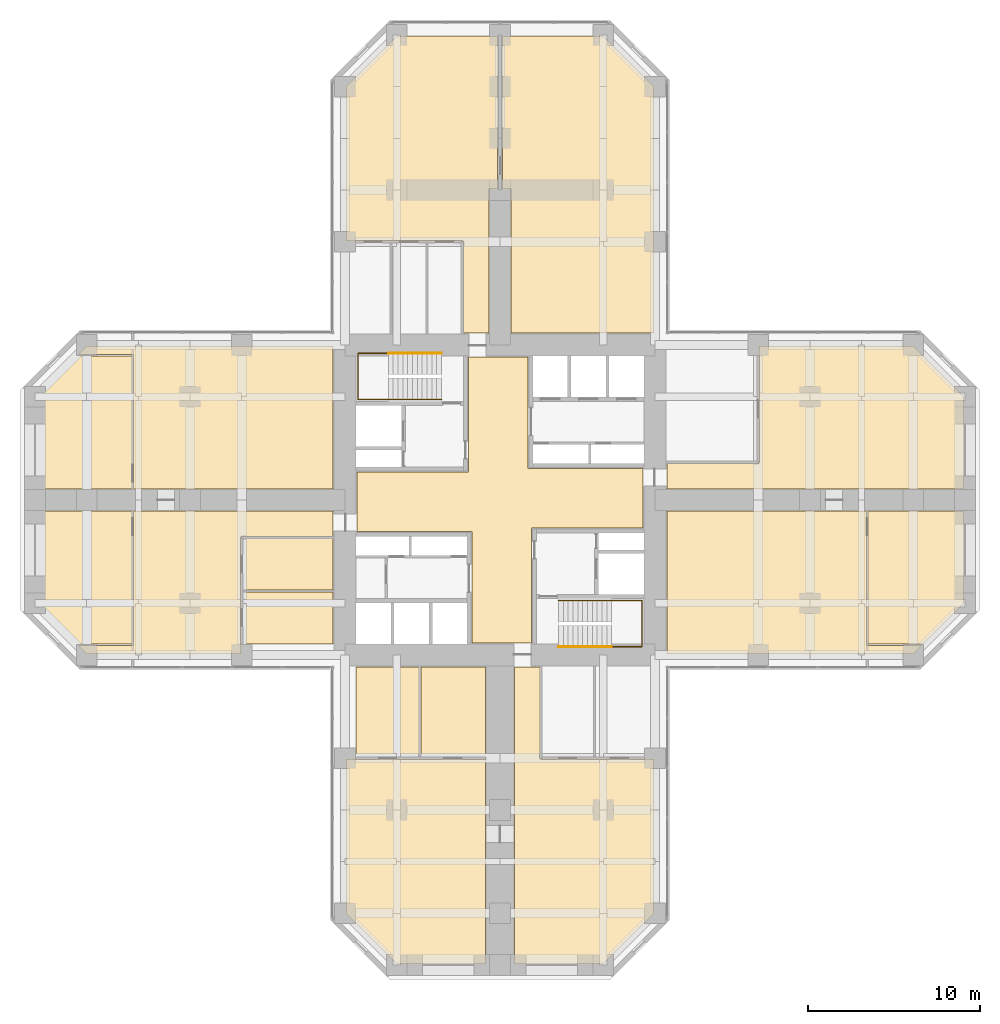
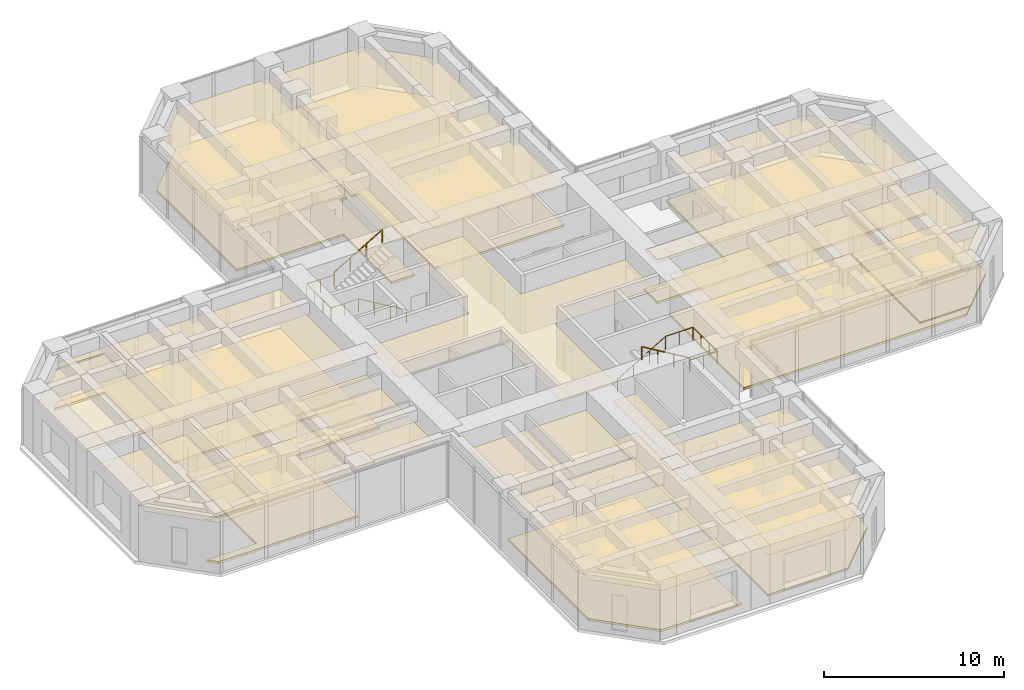
# One storey, part 12 of 12: 25 coverings, 4 railings.
"""IFC4 building model written with IfcOpenShell, lengths in metres."""

from ifc_helpers import new_model, si_unit, direction, frame, origin, origin_2d, place, context, subcontext, project, spatial, polyline, circle, outline, extrude, material, layer, layer_set, constituent, constituent_set, type_object, element, save


model = new_model("IFC4")

# Units and contexts
model_context = context("Model", 3, precision=1e-05, world=origin(), true_north=direction((0.0, 1.0)))
body_context = subcontext(model_context, "Body", "Model", "MODEL_VIEW")
ifc_project = project(units=[si_unit("LENGTHUNIT", "METRE"), si_unit("AREAUNIT", "SQUARE_METRE"), si_unit("VOLUMEUNIT", "CUBIC_METRE"), si_unit("PLANEANGLEUNIT", "RADIAN"), si_unit("MASSUNIT", "GRAM", prefix="KILO")], contexts=[model_context])

# Site, building, storey
site_placement = place(None, origin())
site = spatial("IfcSite", under=ifc_project, at=site_placement, CompositionType="ELEMENT")
building_placement = place(site_placement, origin())
building = spatial("IfcBuilding", under=site, at=building_placement, Name="Torre Cruceta", CompositionType="ELEMENT")
storey_placement = place(building_placement, frame((0.0, 0.0, 43.5)))
storey = spatial("IfcBuildingStorey", under=building, at=storey_placement, Name="L10", CompositionType="ELEMENT", Elevation=43.5)

# Railings
ifc_material_1 = material(Name="Stainless steel 1.4401", Category="steel")
railing_type = type_object("IfcRailingType", Name="HANDRAIL 900", PredefinedType="HANDRAIL", material=ifc_material_1)
railing_1_placement = place(storey_placement, frame((-3.39990234375, 5.8349609375, 0.166748046875)))
element("IfcRailing", 1, at=railing_1_placement, inside=storey, type_object=railing_type, Name="Handrail HR1 ST1 L10", PredefinedType="HANDRAIL", context=body_context, shape_type="SweptSolid", body=[
    extrude(circle(Radius=0.02392578125, at=origin_2d()), frame((0.0, 0.0, 0.8759765625), z_axis=(-0.859308565015, 0.0, 0.511457515432), x_axis=(0.0, -1.0, 0.0)), (0.0, 0.0, 1.0), 3.58447265625),
    extrude(circle(Radius=0.02392578125, at=origin_2d()), frame((-3.080078125, 0.0, 2.708984375), z_axis=(-1.0, 0.0, 0.0), x_axis=(0.0, -1.0, 0.0)), (0.0, 0.0, 1.0), 1.760009765625),
    extrude(circle(Radius=0.02392578125, at=origin_2d()), frame((-4.840087890625, 0.0, 2.708984375), z_axis=(0.0, 1.0, 0.0), x_axis=(-1.0, 0.0, 0.0)), (0.0, 0.0, 1.0), 2.679931640625),
    extrude(circle(Radius=0.02392578125, at=origin_2d()), frame((-4.840087890625, 2.679931640625, 2.708984375), z_axis=(1.0, 0.0, 0.0), x_axis=(0.0, 1.0, 0.0)), (0.0, 0.0, 1.0), 1.760009765625),
    extrude(circle(Radius=0.02099609375, at=origin_2d()), origin(), (0.0, 0.0, 1.0), 0.851806640625),
    extrude(circle(Radius=0.02099609375, at=origin_2d()), frame((-1.026611328125, 0.0, 0.611083984375)), (0.0, 0.0, 1.0), 0.851806640625),
    extrude(circle(Radius=0.02099609375, at=origin_2d()), frame((-2.053466796875, 0.0, 1.22216796875)), (0.0, 0.0, 1.0), 0.851806640625),
    extrude(circle(Radius=0.02099609375, at=origin_2d()), frame((-3.080078125, 0.0, 1.833251953125)), (0.0, 0.0, 1.0), 0.851806640625),
    extrude(circle(Radius=0.02099609375, at=origin_2d()), frame((-3.9599609375, 0.0, 1.833251953125)), (0.0, 0.0, 1.0), 0.851806640625),
    extrude(circle(Radius=0.02099609375, at=origin_2d()), frame((-4.840087890625, 0.0, 1.833251953125)), (0.0, 0.0, 1.0), 0.851806640625),
    extrude(circle(Radius=0.02099609375, at=origin_2d()), frame((-4.840087890625, 0.893310546875, 1.833251953125)), (0.0, 0.0, 1.0), 0.851806640625),
    extrude(circle(Radius=0.02099609375, at=origin_2d()), frame((-4.840087890625, 1.78662109375, 1.833251953125)), (0.0, 0.0, 1.0), 0.851806640625),
    extrude(circle(Radius=0.02099609375, at=origin_2d()), frame((-4.840087890625, 2.679931640625, 1.833251953125)), (0.0, 0.0, 1.0), 0.851806640625),
    extrude(circle(Radius=0.02099609375, at=origin_2d()), frame((-3.9599609375, 2.679931640625, 1.833251953125)), (0.0, 0.0, 1.0), 0.851806640625),
    extrude(circle(Radius=0.02099609375, at=origin_2d()), frame((-3.080078125, 2.679931640625, 1.833251953125)), (0.0, 0.0, 1.0), 0.851806640625),
])
railing_2_placement = place(storey_placement, frame((-6.47998046875, 8.514892578125, 2.166748046875)))
element("IfcRailing", 2, at=railing_2_placement, inside=storey, type_object=railing_type, Name="Handrail HR1 ST1 L10", PredefinedType="HANDRAIL", context=body_context, shape_type="SweptSolid", body=[
    extrude(circle(Radius=0.02392578125, at=origin_2d()), frame((0.0, 0.0, 0.8759765625), z_axis=(0.859308565015, 0.0, 0.511457515432), x_axis=(0.0, 1.0, 0.0)), (0.0, 0.0, 1.0), 3.58447265625),
    extrude(circle(Radius=0.02099609375, at=origin_2d()), origin(), (0.0, 0.0, 1.0), 0.851806640625),
    extrude(circle(Radius=0.02099609375, at=origin_2d()), frame((1.026611328125, 0.0, 0.611083984375)), (0.0, 0.0, 1.0), 0.851806640625),
    extrude(circle(Radius=0.02099609375, at=origin_2d()), frame((2.053466796875, 0.0, 1.22216796875)), (0.0, 0.0, 1.0), 0.851806640625),
    extrude(circle(Radius=0.02099609375, at=origin_2d()), frame((3.080078125, 0.0, 1.833251953125)), (0.0, 0.0, 1.0), 0.851806640625),
])
railing_3_placement = place(storey_placement, frame((3.39990234375, -5.8349609375, 0.166748046875)))
element("IfcRailing", 3, at=railing_3_placement, inside=storey, type_object=railing_type, Name="Handrail HR1 ST2 L10", PredefinedType="HANDRAIL", context=body_context, shape_type="SweptSolid", body=[
    extrude(circle(Radius=0.02392578125, at=origin_2d()), frame((0.0, 0.0, 0.8759765625), z_axis=(0.859308565015, 0.0, 0.511457515432), x_axis=(0.0, 1.0, 0.0)), (0.0, 0.0, 1.0), 3.58447265625),
    extrude(circle(Radius=0.02392578125, at=origin_2d()), frame((3.080078125, 0.0, 2.708984375), z_axis=(1.0, 0.0, 0.0), x_axis=(0.0, 1.0, 0.0)), (0.0, 0.0, 1.0), 1.760009765625),
    extrude(circle(Radius=0.02392578125, at=origin_2d()), frame((4.840087890625, 0.0, 2.708984375), z_axis=(0.0, -1.0, 0.0), x_axis=(1.0, 0.0, 0.0)), (0.0, 0.0, 1.0), 2.679931640625),
    extrude(circle(Radius=0.02392578125, at=origin_2d()), frame((4.840087890625, -2.679931640625, 2.708984375), z_axis=(-1.0, 0.0, 0.0), x_axis=(0.0, -1.0, 0.0)), (0.0, 0.0, 1.0), 1.760009765625),
    extrude(circle(Radius=0.02099609375, at=origin_2d()), origin(), (0.0, 0.0, 1.0), 0.851806640625),
    extrude(circle(Radius=0.02099609375, at=origin_2d()), frame((1.026611328125, 0.0, 0.611083984375)), (0.0, 0.0, 1.0), 0.851806640625),
    extrude(circle(Radius=0.02099609375, at=origin_2d()), frame((2.053466796875, 0.0, 1.22216796875)), (0.0, 0.0, 1.0), 0.851806640625),
    extrude(circle(Radius=0.02099609375, at=origin_2d()), frame((3.080078125, 0.0, 1.833251953125)), (0.0, 0.0, 1.0), 0.851806640625),
    extrude(circle(Radius=0.02099609375, at=origin_2d()), frame((3.9599609375, 0.0, 1.833251953125)), (0.0, 0.0, 1.0), 0.851806640625),
    extrude(circle(Radius=0.02099609375, at=origin_2d()), frame((4.840087890625, 0.0, 1.833251953125)), (0.0, 0.0, 1.0), 0.851806640625),
    extrude(circle(Radius=0.02099609375, at=origin_2d()), frame((4.840087890625, -0.893310546875, 1.833251953125)), (0.0, 0.0, 1.0), 0.851806640625),
    extrude(circle(Radius=0.02099609375, at=origin_2d()), frame((4.840087890625, -1.78662109375, 1.833251953125)), (0.0, 0.0, 1.0), 0.851806640625),
    extrude(circle(Radius=0.02099609375, at=origin_2d()), frame((4.840087890625, -2.679931640625, 1.833251953125)), (0.0, 0.0, 1.0), 0.851806640625),
    extrude(circle(Radius=0.02099609375, at=origin_2d()), frame((3.9599609375, -2.679931640625, 1.833251953125)), (0.0, 0.0, 1.0), 0.851806640625),
    extrude(circle(Radius=0.02099609375, at=origin_2d()), frame((3.080078125, -2.679931640625, 1.833251953125)), (0.0, 0.0, 1.0), 0.851806640625),
])
railing_4_placement = place(storey_placement, frame((6.47998046875, -8.514892578125, 2.166748046875)))
element("IfcRailing", 4, at=railing_4_placement, inside=storey, type_object=railing_type, Name="Handrail HR1 ST2 L10", PredefinedType="HANDRAIL", context=body_context, shape_type="SweptSolid", body=[
    extrude(circle(Radius=0.02392578125, at=origin_2d()), frame((0.0, 0.0, 0.8759765625), z_axis=(-0.859308565015, 0.0, 0.511457515432), x_axis=(0.0, -1.0, 0.0)), (0.0, 0.0, 1.0), 3.58447265625),
    extrude(circle(Radius=0.02099609375, at=origin_2d()), origin(), (0.0, 0.0, 1.0), 0.851806640625),
    extrude(circle(Radius=0.02099609375, at=origin_2d()), frame((-1.026611328125, 0.0, 0.611083984375)), (0.0, 0.0, 1.0), 0.851806640625),
    extrude(circle(Radius=0.02099609375, at=origin_2d()), frame((-2.053466796875, 0.0, 1.22216796875)), (0.0, 0.0, 1.0), 0.851806640625),
    extrude(circle(Radius=0.02099609375, at=origin_2d()), frame((-3.080078125, 0.0, 1.833251953125)), (0.0, 0.0, 1.0), 0.851806640625),
])

# Coverings
ifc_material_2 = material(Name="Steel DX51D", Category="steel")
ifc_constituent_1 = constituent(ifc_material_2, Name="Panel casing")
ifc_material_3 = material(Name="Calcium sulphate", Category="gypsum")
ifc_constituent_2 = constituent(ifc_material_3, Name="Panel core")
ifc_constituent_set = constituent_set(constituents=[ifc_constituent_1, ifc_constituent_2], Name="Raised access floor panel")
covering_type_1 = type_object("IfcCoveringType", Name="RAISED ACCESS FLOOR 150", PredefinedType="FLOORING", material=ifc_constituent_set)
covering_1_placement = place(storey_placement, origin())
element("IfcCovering", 5, at=covering_1_placement, inside=storey, type_object=covering_type_1, Name="Raised floor L10-026", PredefinedType="FLOORING", context=body_context, shape_type="SweptSolid", body=[
    extrude(outline(polyline([(-5.979248046875, 26.949951171875), (-0.14990234375, 26.949951171875), (-0.14990234375, 18.050048828125), (-0.64990234375, 18.050048828125), (-0.64990234375, 9.699951171875), (-2.125, 9.699951171875), (-2.125, 15.050048828125), (-8.949951171875, 15.050048828125), (-8.949951171875, 23.979248046875), (-5.979248046875, 26.949951171875)])), origin(), (0.0, 0.0, 1.0), 0.14990234375),
])
covering_2_placement = place(storey_placement, origin())
element("IfcCovering", 6, at=covering_2_placement, inside=storey, type_object=covering_type_1, Name="Raised floor L10-027", PredefinedType="FLOORING", context=body_context, shape_type="SweptSolid", body=[
    extrude(outline(polyline([(5.979248046875, 26.949951171875), (8.949951171875, 23.979248046875), (8.949951171875, 9.699951171875), (0.64990234375, 9.699951171875), (0.64990234375, 18.050048828125), (0.14990234375, 18.050048828125), (0.14990234375, 26.949951171875), (5.979248046875, 26.949951171875)])), origin(), (0.0, 0.0, 1.0), 0.14990234375),
])
covering_3_placement = place(storey_placement, origin())
element("IfcCovering", 7, at=covering_3_placement, inside=storey, type_object=covering_type_1, Name="Raised floor L10-029", PredefinedType="FLOORING", context=body_context, shape_type="SweptSolid", body=[
    extrude(outline(polyline([(24.579345703125, -8.35009765625), (21.3701171875, -8.35009765625), (21.3701171875, -0.64990234375), (26.949951171875, -0.64990234375), (26.949951171875, -5.979248046875), (24.579345703125, -8.35009765625)])), origin(), (0.0, 0.0, 1.0), 0.14990234375),
])
covering_4_placement = place(storey_placement, origin())
element("IfcCovering", 8, at=covering_4_placement, inside=storey, type_object=covering_type_1, Name="Raised floor L10-030", PredefinedType="FLOORING", context=body_context, shape_type="SweptSolid", body=[
    extrude(outline(polyline([(26.949951171875, 0.64990234375), (9.699951171875, 0.64990234375), (9.699951171875, 2.125), (15.050048828125, 2.125), (15.050048828125, 8.949951171875), (23.979248046875, 8.949951171875), (26.949951171875, 5.979248046875), (26.949951171875, 0.64990234375)])), origin(), (0.0, 0.0, 1.0), 0.14990234375),
])
covering_5_placement = place(storey_placement, origin())
element("IfcCovering", 9, at=covering_5_placement, inside=storey, type_object=covering_type_1, Name="Raised floor L10-031", PredefinedType="FLOORING", context=body_context, shape_type="SweptSolid", body=[
    extrude(outline(polyline([(21.27001953125, -8.449951171875), (24.479248046875, -8.449951171875), (23.979248046875, -8.949951171875), (9.699951171875, -8.949951171875), (9.699951171875, -0.64990234375), (21.27001953125, -0.64990234375), (21.27001953125, -8.449951171875)])), origin(), (0.0, 0.0, 1.0), 0.14990234375),
])
covering_6_placement = place(storey_placement, origin())
element("IfcCovering", 10, at=covering_6_placement, inside=storey, type_object=covering_type_1, Name="Raised floor L10-036", PredefinedType="FLOORING", context=body_context, shape_type="SweptSolid", body=[
    extrude(outline(polyline([(0.85009765625, -26.949951171875), (0.85009765625, -9.699951171875), (2.324951171875, -9.699951171875), (2.324951171875, -15.050048828125), (8.949951171875, -15.050048828125), (8.949951171875, -23.979248046875), (5.979248046875, -26.949951171875), (0.85009765625, -26.949951171875)])), origin(), (0.0, 0.0, 1.0), 0.14990234375),
])
covering_7_placement = place(storey_placement, origin())
element("IfcCovering", 11, at=covering_7_placement, inside=storey, type_object=covering_type_1, Name="Raised floor L10-037", PredefinedType="FLOORING", context=body_context, shape_type="SweptSolid", body=[
    extrude(outline(polyline([(-5.979248046875, -26.949951171875), (-8.949951171875, -23.979248046875), (-8.949951171875, -15.050048828125), (-0.85009765625, -15.050048828125), (-0.85009765625, -26.949951171875), (-5.979248046875, -26.949951171875)])), origin(), (0.0, 0.0, 1.0), 0.14990234375),
])
covering_8_placement = place(storey_placement, origin())
element("IfcCovering", 12, at=covering_8_placement, inside=storey, type_object=covering_type_1, Name="Raised floor L10-042", PredefinedType="FLOORING", context=body_context, shape_type="SweptSolid", body=[
    extrude(outline(polyline([(-21.27001953125, -0.64990234375), (-9.699951171875, -0.64990234375), (-9.699951171875, -2.125), (-15.050048828125, -2.125), (-15.050048828125, -8.949951171875), (-23.979248046875, -8.949951171875), (-24.479248046875, -8.449951171875), (-21.27001953125, -8.449951171875), (-21.27001953125, -0.64990234375)])), origin(), (0.0, 0.0, 1.0), 0.14990234375),
])
covering_9_placement = place(storey_placement, origin())
element("IfcCovering", 13, at=covering_9_placement, inside=storey, type_object=covering_type_1, Name="Raised floor L10-043", PredefinedType="FLOORING", context=body_context, shape_type="SweptSolid", body=[
    extrude(outline(polyline([(-21.27001953125, 8.449951171875), (-24.479248046875, 8.449951171875), (-23.979248046875, 8.949951171875), (-9.699951171875, 8.949951171875), (-9.699951171875, 0.64990234375), (-21.27001953125, 0.64990234375), (-21.27001953125, 8.449951171875)])), origin(), (0.0, 0.0, 1.0), 0.14990234375),
])
ifc_material_4 = material(Name="Mineral fibre ceiling tile", Category="gypsum")
ifc_layer = layer(ifc_material_4, 0.02001953125)
ifc_layer_set = layer_set([ifc_layer], Name="Mineral fibre ceiling tile")
covering_type_2 = type_object("IfcCoveringType", Name="SUSPENDED CEILING 20", PredefinedType="CEILING", material=ifc_layer_set)
covering_10_placement = place(storey_placement, frame((0.0, 0.0, 2.780029296875)))
element("IfcCovering", 14, at=covering_10_placement, inside=storey, type_object=covering_type_2, Name="Ceiling L10-001", PredefinedType="CEILING", context=body_context, shape_type="SweptSolid", body=[
    extrude(outline(polyline([(-1.625, -8.300048828125), (-1.625, -1.824951171875), (-8.300048828125, -1.824951171875), (-8.300048828125, 1.625), (-1.824951171875, 1.625), (-1.824951171875, 8.300048828125), (1.625, 8.300048828125), (1.625, 1.824951171875), (8.300048828125, 1.824951171875), (8.300048828125, -1.625), (1.824951171875, -1.625), (1.824951171875, -8.300048828125), (-1.625, -8.300048828125)])), origin(), (0.0, 0.0, 1.0), 0.02001953125),
])
covering_11_placement = place(storey_placement, frame((0.0, 0.0, 2.780029296875)))
element("IfcCovering", 15, at=covering_11_placement, inside=storey, type_object=covering_type_2, Name="Ceiling L10-026", PredefinedType="CEILING", context=body_context, shape_type="SweptSolid", body=[
    extrude(outline(polyline([(-5.979248046875, 26.949951171875), (-0.14990234375, 26.949951171875), (-0.14990234375, 18.050048828125), (-0.64990234375, 18.050048828125), (-0.64990234375, 9.699951171875), (-2.125, 9.699951171875), (-2.125, 15.050048828125), (-8.949951171875, 15.050048828125), (-8.949951171875, 23.979248046875), (-5.979248046875, 26.949951171875)])), origin(), (0.0, 0.0, 1.0), 0.02001953125),
])
covering_12_placement = place(storey_placement, frame((0.0, 0.0, 2.780029296875)))
element("IfcCovering", 16, at=covering_12_placement, inside=storey, type_object=covering_type_2, Name="Ceiling L10-027", PredefinedType="CEILING", context=body_context, shape_type="SweptSolid", body=[
    extrude(outline(polyline([(5.979248046875, 26.949951171875), (8.949951171875, 23.979248046875), (8.949951171875, 9.699951171875), (0.64990234375, 9.699951171875), (0.64990234375, 18.050048828125), (0.14990234375, 18.050048828125), (0.14990234375, 26.949951171875), (5.979248046875, 26.949951171875)])), origin(), (0.0, 0.0, 1.0), 0.02001953125),
])
covering_13_placement = place(storey_placement, frame((0.0, 0.0, 2.780029296875)))
element("IfcCovering", 17, at=covering_13_placement, inside=storey, type_object=covering_type_2, Name="Ceiling L10-029", PredefinedType="CEILING", context=body_context, shape_type="SweptSolid", body=[
    extrude(outline(polyline([(24.579345703125, -8.35009765625), (21.3701171875, -8.35009765625), (21.3701171875, -0.64990234375), (26.949951171875, -0.64990234375), (26.949951171875, -5.979248046875), (24.579345703125, -8.35009765625)])), origin(), (0.0, 0.0, 1.0), 0.02001953125),
])
covering_14_placement = place(storey_placement, frame((0.0, 0.0, 2.780029296875)))
element("IfcCovering", 18, at=covering_14_placement, inside=storey, type_object=covering_type_2, Name="Ceiling L10-030", PredefinedType="CEILING", context=body_context, shape_type="SweptSolid", body=[
    extrude(outline(polyline([(26.949951171875, 0.64990234375), (9.699951171875, 0.64990234375), (9.699951171875, 2.125), (15.050048828125, 2.125), (15.050048828125, 8.949951171875), (23.979248046875, 8.949951171875), (26.949951171875, 5.979248046875), (26.949951171875, 0.64990234375)])), origin(), (0.0, 0.0, 1.0), 0.02001953125),
])
covering_15_placement = place(storey_placement, frame((0.0, 0.0, 2.780029296875)))
element("IfcCovering", 19, at=covering_15_placement, inside=storey, type_object=covering_type_2, Name="Ceiling L10-031", PredefinedType="CEILING", context=body_context, shape_type="SweptSolid", body=[
    extrude(outline(polyline([(21.27001953125, -8.449951171875), (24.479248046875, -8.449951171875), (23.979248046875, -8.949951171875), (9.699951171875, -8.949951171875), (9.699951171875, -0.64990234375), (21.27001953125, -0.64990234375), (21.27001953125, -8.449951171875)])), origin(), (0.0, 0.0, 1.0), 0.02001953125),
])
covering_16_placement = place(storey_placement, frame((0.0, 0.0, 2.780029296875)))
element("IfcCovering", 20, at=covering_16_placement, inside=storey, type_object=covering_type_2, Name="Ceiling L10-034", PredefinedType="CEILING", context=body_context, shape_type="SweptSolid", body=[
    extrude(outline(polyline([(-4.60009765625, -9.699951171875), (-0.85009765625, -9.699951171875), (-0.85009765625, -14.949951171875), (-4.60009765625, -14.949951171875), (-4.60009765625, -9.699951171875)])), origin(), (0.0, 0.0, 1.0), 0.02001953125),
])
covering_17_placement = place(storey_placement, frame((0.0, 0.0, 2.780029296875)))
element("IfcCovering", 21, at=covering_17_placement, inside=storey, type_object=covering_type_2, Name="Ceiling L10-035", PredefinedType="CEILING", context=body_context, shape_type="SweptSolid", body=[
    extrude(outline(polyline([(-8.35009765625, -9.699951171875), (-4.699951171875, -9.699951171875), (-4.699951171875, -14.949951171875), (-8.35009765625, -14.949951171875), (-8.35009765625, -9.699951171875)])), origin(), (0.0, 0.0, 1.0), 0.02001953125),
])
covering_18_placement = place(storey_placement, frame((0.0, 0.0, 2.780029296875)))
element("IfcCovering", 22, at=covering_18_placement, inside=storey, type_object=covering_type_2, Name="Ceiling L10-036", PredefinedType="CEILING", context=body_context, shape_type="SweptSolid", body=[
    extrude(outline(polyline([(0.85009765625, -26.949951171875), (0.85009765625, -9.699951171875), (2.324951171875, -9.699951171875), (2.324951171875, -15.050048828125), (8.949951171875, -15.050048828125), (8.949951171875, -23.979248046875), (5.979248046875, -26.949951171875), (0.85009765625, -26.949951171875)])), origin(), (0.0, 0.0, 1.0), 0.02001953125),
])
covering_19_placement = place(storey_placement, frame((0.0, 0.0, 2.780029296875)))
element("IfcCovering", 23, at=covering_19_placement, inside=storey, type_object=covering_type_2, Name="Ceiling L10-037", PredefinedType="CEILING", context=body_context, shape_type="SweptSolid", body=[
    extrude(outline(polyline([(-5.979248046875, -26.949951171875), (-8.949951171875, -23.979248046875), (-8.949951171875, -15.050048828125), (-0.85009765625, -15.050048828125), (-0.85009765625, -26.949951171875), (-5.979248046875, -26.949951171875)])), origin(), (0.0, 0.0, 1.0), 0.02001953125),
])
covering_20_placement = place(storey_placement, frame((0.0, 0.0, 2.780029296875)))
element("IfcCovering", 24, at=covering_20_placement, inside=storey, type_object=covering_type_2, Name="Ceiling L10-038", PredefinedType="CEILING", context=body_context, shape_type="SweptSolid", body=[
    extrude(outline(polyline([(-9.699951171875, -2.22509765625), (-9.699951171875, -5.237548828125), (-14.949951171875, -5.237548828125), (-14.949951171875, -2.22509765625), (-9.699951171875, -2.22509765625)])), origin(), (0.0, 0.0, 1.0), 0.02001953125),
])
covering_21_placement = place(storey_placement, frame((0.0, 0.0, 2.780029296875)))
element("IfcCovering", 25, at=covering_21_placement, inside=storey, type_object=covering_type_2, Name="Ceiling L10-039", PredefinedType="CEILING", context=body_context, shape_type="SweptSolid", body=[
    extrude(outline(polyline([(-9.699951171875, -5.33740234375), (-9.699951171875, -8.35009765625), (-14.949951171875, -8.35009765625), (-14.949951171875, -5.33740234375), (-9.699951171875, -5.33740234375)])), origin(), (0.0, 0.0, 1.0), 0.02001953125),
])
covering_22_placement = place(storey_placement, frame((0.0, 0.0, 2.780029296875)))
element("IfcCovering", 26, at=covering_22_placement, inside=storey, type_object=covering_type_2, Name="Ceiling L10-040", PredefinedType="CEILING", context=body_context, shape_type="SweptSolid", body=[
    extrude(outline(polyline([(-26.949951171875, -0.64990234375), (-21.3701171875, -0.64990234375), (-21.3701171875, -8.35009765625), (-24.579345703125, -8.35009765625), (-26.949951171875, -5.979248046875), (-26.949951171875, -0.64990234375)])), origin(), (0.0, 0.0, 1.0), 0.02001953125),
])
covering_23_placement = place(storey_placement, frame((0.0, 0.0, 2.780029296875)))
element("IfcCovering", 27, at=covering_23_placement, inside=storey, type_object=covering_type_2, Name="Ceiling L10-041", PredefinedType="CEILING", context=body_context, shape_type="SweptSolid", body=[
    extrude(outline(polyline([(-24.579345703125, 8.35009765625), (-21.3701171875, 8.35009765625), (-21.3701171875, 0.64990234375), (-26.949951171875, 0.64990234375), (-26.949951171875, 5.979248046875), (-24.579345703125, 8.35009765625)])), origin(), (0.0, 0.0, 1.0), 0.02001953125),
])
covering_24_placement = place(storey_placement, frame((0.0, 0.0, 2.780029296875)))
element("IfcCovering", 28, at=covering_24_placement, inside=storey, type_object=covering_type_2, Name="Ceiling L10-042", PredefinedType="CEILING", context=body_context, shape_type="SweptSolid", body=[
    extrude(outline(polyline([(-21.27001953125, -0.64990234375), (-9.699951171875, -0.64990234375), (-9.699951171875, -2.125), (-15.050048828125, -2.125), (-15.050048828125, -8.949951171875), (-23.979248046875, -8.949951171875), (-24.479248046875, -8.449951171875), (-21.27001953125, -8.449951171875), (-21.27001953125, -0.64990234375)])), origin(), (0.0, 0.0, 1.0), 0.02001953125),
])
covering_25_placement = place(storey_placement, frame((0.0, 0.0, 2.780029296875)))
element("IfcCovering", 29, at=covering_25_placement, inside=storey, type_object=covering_type_2, Name="Ceiling L10-043", PredefinedType="CEILING", context=body_context, shape_type="SweptSolid", body=[
    extrude(outline(polyline([(-21.27001953125, 8.449951171875), (-24.479248046875, 8.449951171875), (-23.979248046875, 8.949951171875), (-9.699951171875, 8.949951171875), (-9.699951171875, 0.64990234375), (-21.27001953125, 0.64990234375), (-21.27001953125, 8.449951171875)])), origin(), (0.0, 0.0, 1.0), 0.02001953125),
])

save(model, "model.ifc")
